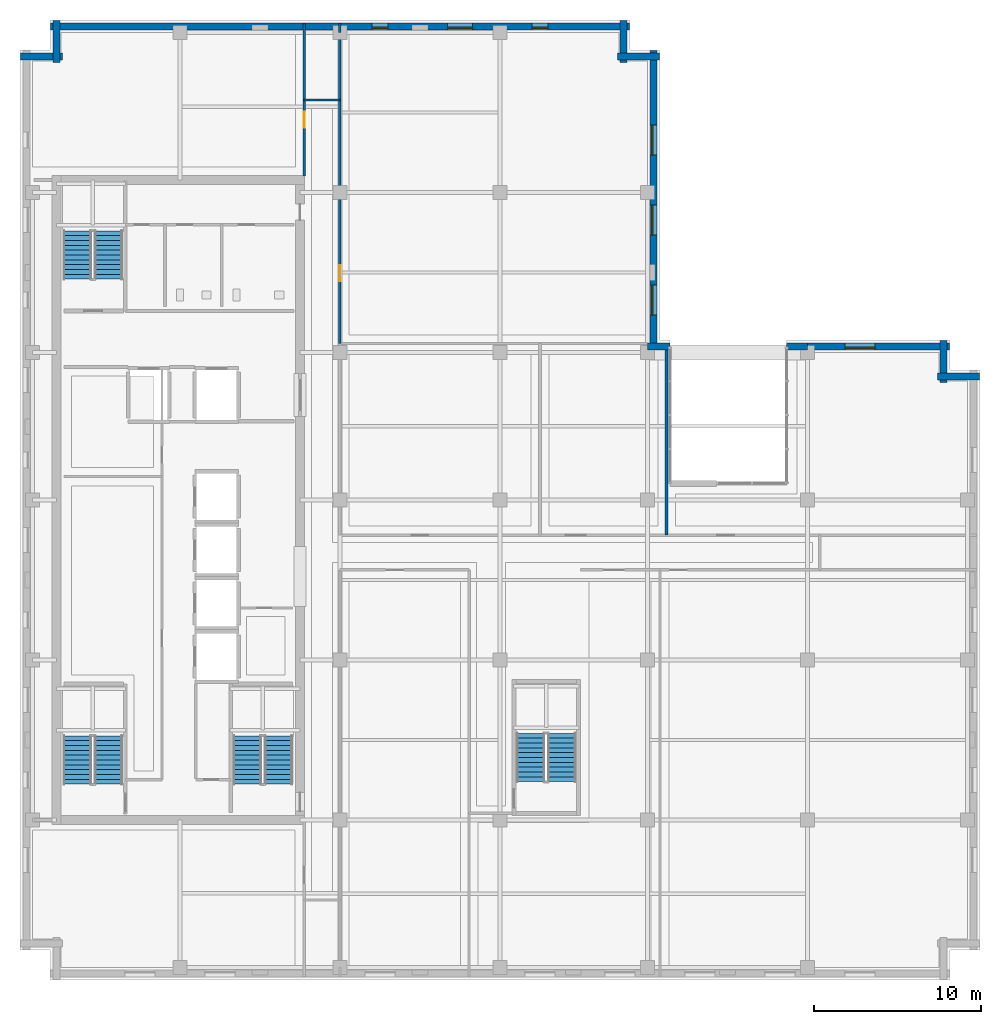
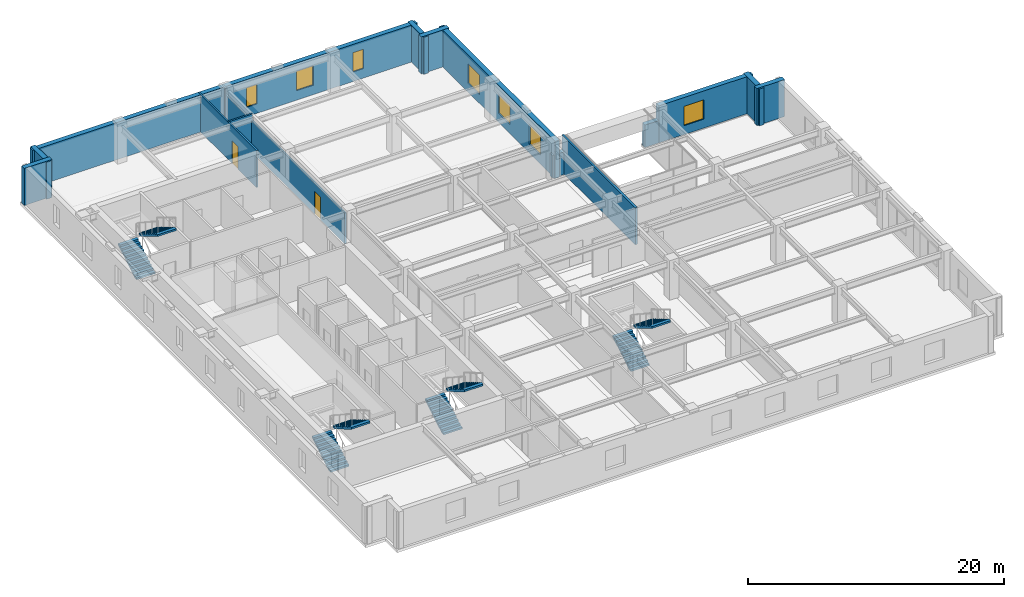
# One storey, part 6 of 12: 16 walls, 8 stair flights, 7 windows, 2 doors, 9 openings, 4 elements without a shape of their own.
"""IFC4 building model written with IfcOpenShell, lengths in metres."""

from ifc_helpers import new_model, si_unit, direction, frame, frame_2d, origin, place, context, subcontext, project, spatial, polyline, rectangle, outline, extrude, material, layer, layer_set, type_object, element, fill, aggregate, save


model = new_model("IFC4")

# Units and contexts
model_context = context("Model", 3, precision=1e-05, world=origin(), true_north=direction((0.0, 1.0)))
body_context = subcontext(model_context, "Body", "Model", "MODEL_VIEW")
ifc_project = project(units=[si_unit("LENGTHUNIT", "METRE"), si_unit("AREAUNIT", "SQUARE_METRE"), si_unit("VOLUMEUNIT", "CUBIC_METRE"), si_unit("PLANEANGLEUNIT", "RADIAN"), si_unit("MASSUNIT", "GRAM", prefix="KILO")], contexts=[model_context])

# Site, building, storey
site_placement = place(None, origin())
site = spatial("IfcSite", under=ifc_project, at=site_placement, CompositionType="ELEMENT")
building_placement = place(site_placement, origin())
building = spatial("IfcBuilding", under=site, at=building_placement, Name="Norrvale University Quadrangle", CompositionType="ELEMENT")
storey_placement = place(building_placement, frame((0.0, 0.0, 225.60009765625)))
storey = spatial("IfcBuildingStorey", under=building, at=storey_placement, Name="L57", CompositionType="ELEMENT", Elevation=225.60009765625)

# Walls
ifc_material_1 = material(Name="Buff Norman Clay Brick Masonry", Category="masonry")
ifc_layer_1 = layer(ifc_material_1, 0.419921875, Name="Buff Norman Clay Brick Masonry")
ifc_layer_set_1 = layer_set([ifc_layer_1], Name="Buff Norman Clay Brick Masonry")
wall_type_1 = type_object("IfcWallType", Name="Wall Buff Brick 420", PredefinedType="SOLIDWALL", material=ifc_layer_set_1)
for number, where, z_axis, x_axis, name in (
    (1, (57.56005859375, 36.2099609375, 0.0), (0.0, 0.0, 1.0), (-1.0, 0.0, 0.0), "Exterior Brick Facade Wall L57-05.1"),
    (2, (55.409912109375, 35.860107421875, 0.0), (0.0, 0.0, 1.0), (0.0, 1.0, 0.0), "Exterior Brick Facade Wall L57-06.1"),
):
    element("IfcWall", number, at=place(storey_placement, frame(where, z_axis=z_axis, x_axis=x_axis)), inside=storey, type_object=wall_type_1, Name=name, PredefinedType="SOLIDWALL", context=body_context, shape_type="SweptSolid", body=[
        extrude(rectangle(XDim=2.5, YDim=0.419921875, at=frame_2d((1.25, 0.0))), origin(), (0.0, 0.0, 1.0), 3.539794921875),
    ])

# Wall, opening, window
wall_1_placement = place(storey_placement, frame((55.760009765625, 38.010009765625, 0.0), z_axis=(0.0, 0.0, 1.0), x_axis=(-1.0, 0.0, 0.0)))
wall_1 = element("IfcWall", 3, at=wall_1_placement, inside=storey, type_object=wall_type_1, Name="Exterior Brick Facade Wall L57-07.1", PredefinedType="SOLIDWALL", context=body_context, shape_type="SweptSolid", body=[
    extrude(rectangle(XDim=8.510009765625, YDim=0.419921875, at=frame_2d((4.2548828125, 0.0))), origin(), (0.0, 0.0, 1.0), 3.539794921875),
])
opening_1_placement = place(wall_1_placement, frame((4.4599609375, 0.0, 0.85009765625)))
opening_1 = element("IfcOpeningElement", 4, at=opening_1_placement, cuts=wall_1, Name="Opening W01", PredefinedType="OPENING", context=body_context, shape_type="SweptSolid", body=[
    extrude(rectangle(XDim=1.800048828125, YDim=1.85009765625, at=frame_2d((0.89990234375, 0.925048828125))), frame((0.0, 0.221923828125, 0.0), z_axis=(0.0, -1.0, 0.0), x_axis=(1.0, 0.0, 0.0)), (0.0, 0.0, 1.0), 0.44384765625),
])
ifc_material_2 = material(Name="Triple Low-E Argon Glazing", Category="glass")
window_type_1 = type_object("IfcWindowType", Name="Window Academic 1800x2300", PartitioningType="DOUBLE_PANEL_VERTICAL", PredefinedType="WINDOW", material=ifc_material_2)
window_1_placement = place(opening_1_placement, origin())
window_1 = element("IfcWindow", 5, at=window_1_placement, inside=storey, type_object=window_type_1, Name="Window Academic 1800x2300 WIN-L57-E07-1-01", OverallHeight=1.85009765625, OverallWidth=1.800048828125, PartitioningType="DOUBLE_PANEL_VERTICAL", PredefinedType="WINDOW", context=body_context, shape_type="SweptSolid", body=[
    extrude(rectangle(XDim=1.800048828125, YDim=1.85009765625, at=frame_2d((0.89990234375, 0.925048828125))), frame((0.0, 0.110107421875, 0.0), z_axis=(0.0, -1.0, 0.0), x_axis=(1.0, 0.0, 0.0)), (0.0, 0.0, 1.0), 0.06005859375),
])
fill(opening_1, window_1)

# Wall
wall_2_placement = place(storey_placement, frame((39.0, 38.010009765625, 0.0), z_axis=(0.0, 0.0, 1.0), x_axis=(-1.0, 0.0, 0.0)))
element("IfcWall", 6, at=wall_2_placement, inside=storey, type_object=wall_type_1, Name="Exterior Brick Facade Wall L57-07.2", PredefinedType="SOLIDWALL", context=body_context, shape_type="SweptSolid", body=[
    extrude(rectangle(XDim=1.340087890625, YDim=0.419921875, at=frame_2d((0.669921875, 0.0))), origin(), (0.0, 0.0, 1.0), 2.139892578125),
])

# Wall, openings, windows
wall_3_placement = place(storey_placement, frame((38.010009765625, 37.659912109375, 0.0), z_axis=(0.0, 0.0, 1.0), x_axis=(0.0, 1.0, 0.0)))
wall_3 = element("IfcWall", 7, at=wall_3_placement, inside=storey, type_object=wall_type_1, Name="Exterior Brick Facade Wall L57-08.1", PredefinedType="SOLIDWALL", context=body_context, shape_type="SweptSolid", body=[
    extrude(rectangle(XDim=18.10009765625, YDim=0.419921875, at=frame_2d((9.050048828125, 0.0))), origin(), (0.0, 0.0, 1.0), 3.539794921875),
])
opening_2_placement = place(wall_3_placement, frame((2.239990234375, 0.0, 0.85009765625)))
opening_2 = element("IfcOpeningElement", 8, at=opening_2_placement, cuts=wall_3, Name="Opening W01", PredefinedType="OPENING", context=body_context, shape_type="SweptSolid", body=[
    extrude(rectangle(XDim=1.800048828125, YDim=1.85009765625, at=frame_2d((0.89990234375, 0.925048828125))), frame((0.0, 0.221923828125, 0.0), z_axis=(0.0, -1.0, 0.0), x_axis=(1.0, 0.0, 0.0)), (0.0, 0.0, 1.0), 0.44384765625),
])
opening_3_placement = place(wall_3_placement, frame((7.0400390625, 0.0, 0.85009765625)))
opening_3 = element("IfcOpeningElement", 9, at=opening_3_placement, cuts=wall_3, Name="Opening W01", PredefinedType="OPENING", context=body_context, shape_type="SweptSolid", body=[
    extrude(rectangle(XDim=1.800048828125, YDim=1.85009765625, at=frame_2d((0.89990234375, 0.925048828125))), frame((0.0, 0.221923828125, 0.0), z_axis=(0.0, -1.0, 0.0), x_axis=(1.0, 0.0, 0.0)), (0.0, 0.0, 1.0), 0.44384765625),
])
opening_4_placement = place(wall_3_placement, frame((11.840087890625, 0.0, 0.85009765625)))
opening_4 = element("IfcOpeningElement", 10, at=opening_4_placement, cuts=wall_3, Name="Opening W01", PredefinedType="OPENING", context=body_context, shape_type="SweptSolid", body=[
    extrude(rectangle(XDim=1.800048828125, YDim=1.85009765625, at=frame_2d((0.89990234375, 0.925048828125))), frame((0.0, 0.221923828125, 0.0), z_axis=(0.0, -1.0, 0.0), x_axis=(1.0, 0.0, 0.0)), (0.0, 0.0, 1.0), 0.44384765625),
])
window_2_placement = place(opening_2_placement, origin())
window_2 = element("IfcWindow", 11, at=window_2_placement, inside=storey, type_object=window_type_1, Name="Window Academic 1800x2300 WIN-L57-E08-1-01", OverallHeight=1.85009765625, OverallWidth=1.800048828125, PartitioningType="DOUBLE_PANEL_VERTICAL", PredefinedType="WINDOW", context=body_context, shape_type="SweptSolid", body=[
    extrude(rectangle(XDim=1.800048828125, YDim=1.85009765625, at=frame_2d((0.89990234375, 0.925048828125))), frame((0.0, 0.110107421875, 0.0), z_axis=(0.0, -1.0, 0.0), x_axis=(1.0, 0.0, 0.0)), (0.0, 0.0, 1.0), 0.06005859375),
])
fill(opening_2, window_2)
window_3_placement = place(opening_3_placement, origin())
window_3 = element("IfcWindow", 12, at=window_3_placement, inside=storey, type_object=window_type_1, Name="Window Academic 1800x2300 WIN-L57-E08-1-02", OverallHeight=1.85009765625, OverallWidth=1.800048828125, PartitioningType="DOUBLE_PANEL_VERTICAL", PredefinedType="WINDOW", context=body_context, shape_type="SweptSolid", body=[
    extrude(rectangle(XDim=1.800048828125, YDim=1.85009765625, at=frame_2d((0.89990234375, 0.925048828125))), frame((0.0, 0.110107421875, 0.0), z_axis=(0.0, -1.0, 0.0), x_axis=(1.0, 0.0, 0.0)), (0.0, 0.0, 1.0), 0.06005859375),
])
fill(opening_3, window_3)
window_4_placement = place(opening_4_placement, origin())
window_4 = element("IfcWindow", 13, at=window_4_placement, inside=storey, type_object=window_type_1, Name="Window Academic 1800x2300 WIN-L57-E08-1-03", OverallHeight=1.85009765625, OverallWidth=1.800048828125, PartitioningType="DOUBLE_PANEL_VERTICAL", PredefinedType="WINDOW", context=body_context, shape_type="SweptSolid", body=[
    extrude(rectangle(XDim=1.800048828125, YDim=1.85009765625, at=frame_2d((0.89990234375, 0.925048828125))), frame((0.0, 0.110107421875, 0.0), z_axis=(0.0, -1.0, 0.0), x_axis=(1.0, 0.0, 0.0)), (0.0, 0.0, 1.0), 0.06005859375),
])
fill(opening_4, window_4)

# Walls
for number, where, z_axis, x_axis, name in (
    (14, (38.360107421875, 55.409912109375, 0.0), (0.0, 0.0, 1.0), (-1.0, 0.0, 0.0), "Exterior Brick Facade Wall L57-09.1"),
    (15, (36.2099609375, 55.06005859375, 0.0), (0.0, 0.0, 1.0), (0.0, 1.0, 0.0), "Exterior Brick Facade Wall L57-10.1"),
):
    element("IfcWall", number, at=place(storey_placement, frame(where, z_axis=z_axis, x_axis=x_axis)), inside=storey, type_object=wall_type_1, Name=name, PredefinedType="SOLIDWALL", context=body_context, shape_type="SweptSolid", body=[
        extrude(rectangle(XDim=2.5, YDim=0.419921875, at=frame_2d((1.25, 0.0))), origin(), (0.0, 0.0, 1.0), 3.539794921875),
    ])

# Wall, openings, windows
wall_4_placement = place(storey_placement, frame((36.56005859375, 57.2099609375, 0.0), z_axis=(0.0, 0.0, 1.0), x_axis=(-1.0, 0.0, 0.0)))
wall_4 = element("IfcWall", 16, at=wall_4_placement, inside=storey, type_object=wall_type_1, Name="Exterior Brick Facade Wall L57-11.1", PredefinedType="SOLIDWALL", context=body_context, shape_type="SweptSolid", body=[
    extrude(rectangle(XDim=34.719970703125, YDim=0.419921875, at=frame_2d((17.35986328125, 0.0))), origin(), (0.0, 0.0, 1.0), 3.539794921875),
])
opening_5_placement = place(wall_4_placement, frame((4.885009765625, 0.0, 0.89990234375)))
opening_5 = element("IfcOpeningElement", 17, at=opening_5_placement, cuts=wall_4, Name="Opening W04", PredefinedType="OPENING", context=body_context, shape_type="SweptSolid", body=[
    extrude(rectangle(XDim=0.949951171875, YDim=1.85009765625, at=frame_2d((0.47509765625, 0.925048828125))), frame((0.0, 0.221923828125, 0.0), z_axis=(0.0, -1.0, 0.0), x_axis=(1.0, 0.0, 0.0)), (0.0, 0.0, 1.0), 0.44384765625),
])
opening_6_placement = place(wall_4_placement, frame((9.409912109375, 0.0, 0.89990234375)))
opening_6 = element("IfcOpeningElement", 18, at=opening_6_placement, cuts=wall_4, Name="Opening W03", PredefinedType="OPENING", context=body_context, shape_type="SweptSolid", body=[
    extrude(rectangle(XDim=1.5, YDim=1.85009765625, at=frame_2d((0.75, 0.925048828125))), frame((0.0, 0.221923828125, 0.0), z_axis=(0.0, -1.0, 0.0), x_axis=(1.0, 0.0, 0.0)), (0.0, 0.0, 1.0), 0.44384765625),
])
opening_7_placement = place(wall_4_placement, frame((14.485107421875, 0.0, 0.89990234375)))
opening_7 = element("IfcOpeningElement", 19, at=opening_7_placement, cuts=wall_4, Name="Opening W04", PredefinedType="OPENING", context=body_context, shape_type="SweptSolid", body=[
    extrude(rectangle(XDim=0.949951171875, YDim=1.85009765625, at=frame_2d((0.47509765625, 0.925048828125))), frame((0.0, 0.221923828125, 0.0), z_axis=(0.0, -1.0, 0.0), x_axis=(1.0, 0.0, 0.0)), (0.0, 0.0, 1.0), 0.44384765625),
])
window_type_2 = type_object("IfcWindowType", Name="Window Narrow Pier 950x2300", PartitioningType="SINGLE_PANEL", PredefinedType="WINDOW", material=ifc_material_2)
window_5_placement = place(opening_5_placement, origin())
window_5 = element("IfcWindow", 20, at=window_5_placement, inside=storey, type_object=window_type_2, Name="Window Narrow Pier 950x2300 WIN-L57-E11-1-01", OverallHeight=1.85009765625, OverallWidth=0.949951171875, PartitioningType="SINGLE_PANEL", PredefinedType="WINDOW", context=body_context, shape_type="SweptSolid", body=[
    extrude(rectangle(XDim=0.949951171875, YDim=1.85009765625, at=frame_2d((0.47509765625, 0.925048828125))), frame((0.0, 0.110107421875, 0.0), z_axis=(0.0, -1.0, 0.0), x_axis=(1.0, 0.0, 0.0)), (0.0, 0.0, 1.0), 0.06005859375),
])
fill(opening_5, window_5)
window_6_placement = place(opening_7_placement, origin())
window_6 = element("IfcWindow", 21, at=window_6_placement, inside=storey, type_object=window_type_2, Name="Window Narrow Pier 950x2300 WIN-L57-E11-1-03", OverallHeight=1.85009765625, OverallWidth=0.949951171875, PartitioningType="SINGLE_PANEL", PredefinedType="WINDOW", context=body_context, shape_type="SweptSolid", body=[
    extrude(rectangle(XDim=0.949951171875, YDim=1.85009765625, at=frame_2d((0.47509765625, 0.925048828125))), frame((0.0, 0.110107421875, 0.0), z_axis=(0.0, -1.0, 0.0), x_axis=(1.0, 0.0, 0.0)), (0.0, 0.0, 1.0), 0.06005859375),
])
fill(opening_7, window_6)
window_type_3 = type_object("IfcWindowType", Name="Window Studio 1500x2300", PartitioningType="DOUBLE_PANEL_VERTICAL", PredefinedType="WINDOW", material=ifc_material_2)
window_7_placement = place(opening_6_placement, origin())
window_7 = element("IfcWindow", 22, at=window_7_placement, inside=storey, type_object=window_type_3, Name="Window Studio 1500x2300 WIN-L57-E11-1-02", OverallHeight=1.85009765625, OverallWidth=1.5, PartitioningType="DOUBLE_PANEL_VERTICAL", PredefinedType="WINDOW", context=body_context, shape_type="SweptSolid", body=[
    extrude(rectangle(XDim=1.5, YDim=1.85009765625, at=frame_2d((0.75, 0.925048828125))), frame((0.0, 0.110107421875, 0.0), z_axis=(0.0, -1.0, 0.0), x_axis=(1.0, 0.0, 0.0)), (0.0, 0.0, 1.0), 0.06005859375),
])
fill(opening_6, window_7)

# Walls
for number, where, z_axis, x_axis, name in (
    (23, (2.18994140625, 57.56005859375, 0.0), (0.0, 0.0, 1.0), (0.0, -1.0, 0.0), "Exterior Brick Facade Wall L57-12.1"),
    (24, (2.5400390625, 55.409912109375, 0.0), (0.0, 0.0, 1.0), (-1.0, 0.0, 0.0), "Exterior Brick Facade Wall L57-13.1"),
):
    element("IfcWall", number, at=place(storey_placement, frame(where, z_axis=z_axis, x_axis=x_axis)), inside=storey, type_object=wall_type_1, Name=name, PredefinedType="SOLIDWALL", context=body_context, shape_type="SweptSolid", body=[
        extrude(rectangle(XDim=2.5, YDim=0.419921875, at=frame_2d((1.25, 0.0))), origin(), (0.0, 0.0, 1.0), 3.539794921875),
    ])
wall_5_placement = place(storey_placement, frame((47.25, 38.010009765625, 0.0), z_axis=(0.0, 0.0, 1.0), x_axis=(-1.0, 0.0, 0.0)))
element("IfcWall", 25, at=wall_5_placement, inside=storey, type_object=wall_type_1, Name="Exterior Brick Facade Wall L57-07.1 B2", PredefinedType="SOLIDWALL", context=body_context, shape_type="SweptSolid", body=[
    extrude(rectangle(XDim=1.25, YDim=0.419921875, at=frame_2d((0.625, 0.0))), origin(), (0.0, 0.0, 1.0), 2.139892578125),
])
ifc_material_3 = material(Name="Fire-Rated Gypsum Stud Partition")
ifc_layer_2 = layer(ifc_material_3, 0.14990234375, Name="Fire-Rated Gypsum Stud Partition")
ifc_layer_set_2 = layer_set([ifc_layer_2], Name="Fire-Rated Gypsum Stud Partition")
wall_type_2 = type_object("IfcWallType", Name="Wall Gypsum Corridor 150", PredefinedType="PARTITIONING", material=ifc_layer_set_2)
wall_6_placement = place(storey_placement, frame((17.050048828125, 52.800048828125, 0.0), z_axis=(0.0, 0.0, 1.0), x_axis=(1.0, 0.0, 0.0)))
element("IfcWall", 26, at=wall_6_placement, inside=storey, type_object=wall_type_2, Name="Interior Partition WL-L57-CSP-N", PredefinedType="PARTITIONING", context=body_context, shape_type="SweptSolid", body=[
    extrude(rectangle(XDim=2.14990234375, YDim=0.14990234375, at=frame_2d((1.074951171875, 0.0))), origin(), (0.0, 0.0, 1.0), 3.539794921875),
])

# Wall, opening, door
wall_7_placement = place(storey_placement, frame((19.199951171875, 38.179931640625, 0.0), z_axis=(0.0, 0.0, 1.0), x_axis=(0.0, 1.0, 0.0)))
wall_7 = element("IfcWall", 27, at=wall_7_placement, inside=storey, type_object=wall_type_2, Name="Interior Partition WL-L57-NECW", PredefinedType="PARTITIONING", context=body_context, shape_type="SweptSolid", body=[
    extrude(rectangle(XDim=18.670166015625, YDim=0.14990234375, at=frame_2d((9.3349609375, 0.0))), origin(), (0.0, 0.0, 1.0), 2.9228515625),
])
opening_8_placement = place(wall_7_placement, frame((3.75, 0.0, 0.0)))
opening_8 = element("IfcOpeningElement", 28, at=opening_8_placement, cuts=wall_7, Name="Opening D07", PredefinedType="OPENING", context=body_context, shape_type="SweptSolid", body=[
    extrude(rectangle(XDim=0.949951171875, YDim=2.14990234375, at=frame_2d((0.47509765625, 1.074951171875))), frame((0.0, 0.0869140625, 0.0), z_axis=(0.0, -1.0, 0.0), x_axis=(1.0, 0.0, 0.0)), (0.0, 0.0, 1.0), 0.173828125),
])
ifc_material_4 = material(Name="Solid-Core Maple Door", Category="wood")
door_type = type_object("IfcDoorType", Name="Door Office 950x2150", OperationType="NOTDEFINED", PredefinedType="DOOR", material=ifc_material_4)
door_1_placement = place(opening_8_placement, origin())
door_1 = element("IfcDoor", 29, at=door_1_placement, inside=storey, type_object=door_type, Name="Door Office 950x2150 DR-L57-NE01", OperationType="SINGLE_SWING_RIGHT", OverallHeight=2.14990234375, OverallWidth=0.949951171875, PredefinedType="DOOR", context=body_context, shape_type="SweptSolid", body=[
    extrude(rectangle(XDim=0.949951171875, YDim=2.14990234375, at=frame_2d((0.47509765625, 1.074951171875))), frame((0.0, 0.02490234375, 0.0), z_axis=(0.0, -1.0, 0.0), x_axis=(1.0, 0.0, 0.0)), (0.0, 0.0, 1.0), 0.050048828125),
])
fill(opening_8, door_1)

# Wall
wall_8_placement = place(storey_placement, frame((19.199951171875, 56.85009765625, 0.0), z_axis=(0.0, 0.0, 1.0), x_axis=(0.0, 1.0, 0.0)))
element("IfcWall", 30, at=wall_8_placement, inside=storey, type_object=wall_type_2, Name="Interior Partition WL-L57-NECW-B2", PredefinedType="PARTITIONING", context=body_context, shape_type="SweptSolid", body=[
    extrude(rectangle(XDim=0.52978515625, YDim=0.14990234375, at=frame_2d((0.264892578125, 0.0))), origin(), (0.0, 0.0, 1.0), 3.539794921875),
])

# Wall, opening, door
wall_9_placement = place(storey_placement, frame((17.050048828125, 48.25, 0.0), z_axis=(0.0, 0.0, 1.0), x_axis=(0.0, 1.0, 0.0)))
wall_9 = element("IfcWall", 31, at=wall_9_placement, inside=storey, type_object=wall_type_2, Name="Interior Partition WL-L57-NWCW", PredefinedType="PARTITIONING", context=body_context, shape_type="SweptSolid", body=[
    extrude(rectangle(XDim=9.1298828125, YDim=0.14990234375, at=frame_2d((4.56494140625, 0.0))), origin(), (0.0, 0.0, 1.0), 3.539794921875),
])
opening_9_placement = place(wall_9_placement, frame((2.89990234375, 0.0, 0.0)))
opening_9 = element("IfcOpeningElement", 32, at=opening_9_placement, cuts=wall_9, Name="Opening D07", PredefinedType="OPENING", context=body_context, shape_type="SweptSolid", body=[
    extrude(rectangle(XDim=0.949951171875, YDim=2.14990234375, at=frame_2d((0.47509765625, 1.074951171875))), frame((0.0, 0.0869140625, 0.0), z_axis=(0.0, -1.0, 0.0), x_axis=(1.0, 0.0, 0.0)), (0.0, 0.0, 1.0), 0.173828125),
])
door_2_placement = place(opening_9_placement, origin())
door_2 = element("IfcDoor", 33, at=door_2_placement, inside=storey, type_object=door_type, Name="Door Office 950x2150 DR-L57-NW01", OperationType="SINGLE_SWING_RIGHT", OverallHeight=2.14990234375, OverallWidth=0.949951171875, PredefinedType="DOOR", context=body_context, shape_type="SweptSolid", body=[
    extrude(rectangle(XDim=0.949951171875, YDim=2.14990234375, at=frame_2d((0.47509765625, 1.074951171875))), frame((0.0, 0.02490234375, 0.0), z_axis=(0.0, -1.0, 0.0), x_axis=(1.0, 0.0, 0.0)), (0.0, 0.0, 1.0), 0.050048828125),
])
fill(opening_9, door_2)

# Wall
ifc_material_5 = material(Name="Acoustic Double-Stud Gypsum Partition")
ifc_layer_3 = layer(ifc_material_5, 0.179931640625, Name="Acoustic Double-Stud Gypsum Partition")
ifc_layer_set_3 = layer_set([ifc_layer_3], Name="Acoustic Double-Stud Gypsum Partition")
wall_type_3 = type_object("IfcWallType", Name="Wall Gypsum Lecture 180", PredefinedType="PARTITIONING", material=ifc_layer_set_3)
wall_10_placement = place(storey_placement, frame((38.800048828125, 26.699951171875, 0.0), z_axis=(0.0, 0.0, 1.0), x_axis=(0.0, 1.0, 0.0)))
element("IfcWall", 34, at=wall_10_placement, inside=storey, type_object=wall_type_3, Name="Interior Partition WL-L57-MEP02", PredefinedType="PARTITIONING", context=body_context, shape_type="SweptSolid", body=[
    extrude(rectangle(XDim=11.47998046875, YDim=0.179931640625, at=frame_2d((5.739990234375, 0.0))), origin(), (0.0, 0.0, 1.0), 3.539794921875),
])

# Stair, stair flights
ifc_material_6 = material(Name="Concrete C40/50", Category="concrete")
stair_type = type_object("IfcStairType", Name="Stair Tower Typ 3800", PredefinedType="TWO_STRAIGHT_RUN_STAIR", material=ifc_material_6)
stair_1_placement = place(storey_placement, origin())
stair_1 = element("IfcStair", 35, at=stair_1_placement, inside=storey, type_object=stair_type, Name="Exit Stair ST-01 L57", PredefinedType="TWO_STRAIGHT_RUN_STAIR")
stair_flight_type = type_object("IfcStairFlightType", Name="Flight Typ 1500", PredefinedType="STRAIGHT", material=ifc_material_6)
stair_flight_1_placement = place(storey_placement, frame((3.429931640625, 11.75, 0.0), z_axis=(0.0, 0.0, 1.0), x_axis=(0.0, 1.0, 0.0)))
stair_flight_1 = element("IfcStairFlight", 36, at=stair_flight_1_placement, type_object=stair_flight_type, Name="Exit Stair ST-01 L57 Lower Flight", NumberOfRisers=11, NumberOfTreads=10, PredefinedType="STRAIGHT", RiserHeight=0.172727, TreadLength=0.29, context=body_context, shape_type="SweptSolid", body=[
    extrude(outline(polyline([(0.0, 0.0), (0.0, 0.172607421875), (0.2900390625, 0.172607421875), (0.2900390625, 0.345458984375), (0.580078125, 0.345458984375), (0.580078125, 0.51806640625), (0.8701171875, 0.51806640625), (0.8701171875, 0.69091796875), (1.159912109375, 0.69091796875), (1.159912109375, 0.863525390625), (1.449951171875, 0.863525390625), (1.449951171875, 1.036376953125), (1.739990234375, 1.036376953125), (1.739990234375, 1.208984375), (2.030029296875, 1.208984375), (2.030029296875, 1.3818359375), (2.320068359375, 1.3818359375), (2.320068359375, 1.554443359375), (2.610107421875, 1.554443359375), (2.610107421875, 1.727294921875), (2.89990234375, 1.727294921875), (2.89990234375, 1.89990234375), (2.89990234375, 1.552734375), (0.29296875, 0.0), (0.0, 0.0)])), frame((0.0, 0.83984375, 0.0), z_axis=(0.0, -1.0, 0.0), x_axis=(1.0, 0.0, 0.0)), (0.0, 0.0, 1.0), 1.679931640625),
])
stair_flight_2_placement = place(storey_placement, frame((5.320068359375, 14.64990234375, 1.89990234375), z_axis=(0.0, 0.0, 1.0), x_axis=(0.0, -1.0, 0.0)))
stair_flight_2 = element("IfcStairFlight", 37, at=stair_flight_2_placement, type_object=stair_flight_type, Name="Exit Stair ST-01 L57 Upper Flight", NumberOfRisers=11, NumberOfTreads=10, PredefinedType="STRAIGHT", RiserHeight=0.172727, TreadLength=0.29, context=body_context, shape_type="SweptSolid", body=[
    extrude(outline(polyline([(0.0, 0.0), (0.0, 0.172607421875), (0.2900390625, 0.172607421875), (0.2900390625, 0.345458984375), (0.580078125, 0.345458984375), (0.580078125, 0.51806640625), (0.8701171875, 0.51806640625), (0.8701171875, 0.69091796875), (1.159912109375, 0.69091796875), (1.159912109375, 0.863525390625), (1.449951171875, 0.863525390625), (1.449951171875, 1.036376953125), (1.739990234375, 1.036376953125), (1.739990234375, 1.208984375), (2.030029296875, 1.208984375), (2.030029296875, 1.3818359375), (2.320068359375, 1.3818359375), (2.320068359375, 1.554443359375), (2.610107421875, 1.554443359375), (2.610107421875, 1.727294921875), (2.89990234375, 1.727294921875), (2.89990234375, 1.89990234375), (2.89990234375, 1.552734375), (0.29296875, 0.0), (0.0, 0.0)])), frame((0.0, 0.83984375, 0.0), z_axis=(0.0, -1.0, 0.0), x_axis=(1.0, 0.0, 0.0)), (0.0, 0.0, 1.0), 1.679931640625),
])
aggregate(stair_1, [stair_flight_1, stair_flight_2])

stair_2_placement = place(storey_placement, origin())
stair_2 = element("IfcStair", 38, at=stair_2_placement, inside=storey, type_object=stair_type, Name="Exit Stair ST-02 L57", PredefinedType="TWO_STRAIGHT_RUN_STAIR")
stair_flight_3_placement = place(storey_placement, frame((3.429931640625, 42.050048828125, 0.0), z_axis=(0.0, 0.0, 1.0), x_axis=(0.0, 1.0, 0.0)))
stair_flight_3 = element("IfcStairFlight", 39, at=stair_flight_3_placement, type_object=stair_flight_type, Name="Exit Stair ST-02 L57 Lower Flight", NumberOfRisers=11, NumberOfTreads=10, PredefinedType="STRAIGHT", RiserHeight=0.172727, TreadLength=0.29, context=body_context, shape_type="SweptSolid", body=[
    extrude(outline(polyline([(0.0, 0.0), (0.0, 0.172607421875), (0.2900390625, 0.172607421875), (0.2900390625, 0.345458984375), (0.580078125, 0.345458984375), (0.580078125, 0.51806640625), (0.8701171875, 0.51806640625), (0.8701171875, 0.69091796875), (1.159912109375, 0.69091796875), (1.159912109375, 0.863525390625), (1.449951171875, 0.863525390625), (1.449951171875, 1.036376953125), (1.739990234375, 1.036376953125), (1.739990234375, 1.208984375), (2.030029296875, 1.208984375), (2.030029296875, 1.3818359375), (2.320068359375, 1.3818359375), (2.320068359375, 1.554443359375), (2.610107421875, 1.554443359375), (2.610107421875, 1.727294921875), (2.89990234375, 1.727294921875), (2.89990234375, 1.89990234375), (2.89990234375, 1.552734375), (0.29296875, 0.0), (0.0, 0.0)])), frame((0.0, 0.83984375, 0.0), z_axis=(0.0, -1.0, 0.0), x_axis=(1.0, 0.0, 0.0)), (0.0, 0.0, 1.0), 1.679931640625),
])
stair_flight_4_placement = place(storey_placement, frame((5.320068359375, 44.949951171875, 1.89990234375), z_axis=(0.0, 0.0, 1.0), x_axis=(0.0, -1.0, 0.0)))
stair_flight_4 = element("IfcStairFlight", 40, at=stair_flight_4_placement, type_object=stair_flight_type, Name="Exit Stair ST-02 L57 Upper Flight", NumberOfRisers=11, NumberOfTreads=10, PredefinedType="STRAIGHT", RiserHeight=0.172727, TreadLength=0.29, context=body_context, shape_type="SweptSolid", body=[
    extrude(outline(polyline([(0.0, 0.0), (0.0, 0.172607421875), (0.2900390625, 0.172607421875), (0.2900390625, 0.345458984375), (0.580078125, 0.345458984375), (0.580078125, 0.51806640625), (0.8701171875, 0.51806640625), (0.8701171875, 0.69091796875), (1.159912109375, 0.69091796875), (1.159912109375, 0.863525390625), (1.449951171875, 0.863525390625), (1.449951171875, 1.036376953125), (1.739990234375, 1.036376953125), (1.739990234375, 1.208984375), (2.030029296875, 1.208984375), (2.030029296875, 1.3818359375), (2.320068359375, 1.3818359375), (2.320068359375, 1.554443359375), (2.610107421875, 1.554443359375), (2.610107421875, 1.727294921875), (2.89990234375, 1.727294921875), (2.89990234375, 1.89990234375), (2.89990234375, 1.552734375), (0.29296875, 0.0), (0.0, 0.0)])), frame((0.0, 0.83984375, 0.0), z_axis=(0.0, -1.0, 0.0), x_axis=(1.0, 0.0, 0.0)), (0.0, 0.0, 1.0), 1.679931640625),
])
aggregate(stair_2, [stair_flight_3, stair_flight_4])

stair_3_placement = place(storey_placement, origin())
stair_3 = element("IfcStair", 41, at=stair_3_placement, inside=storey, type_object=stair_type, Name="Exit Stair ST-03 L57", PredefinedType="TWO_STRAIGHT_RUN_STAIR")
stair_flight_5_placement = place(storey_placement, frame((13.6298828125, 11.75, 0.0), z_axis=(0.0, 0.0, 1.0), x_axis=(0.0, 1.0, 0.0)))
stair_flight_5 = element("IfcStairFlight", 42, at=stair_flight_5_placement, type_object=stair_flight_type, Name="Exit Stair ST-03 L57 Lower Flight", NumberOfRisers=11, NumberOfTreads=10, PredefinedType="STRAIGHT", RiserHeight=0.172727, TreadLength=0.29, context=body_context, shape_type="SweptSolid", body=[
    extrude(outline(polyline([(0.0, 0.0), (0.0, 0.172607421875), (0.2900390625, 0.172607421875), (0.2900390625, 0.345458984375), (0.580078125, 0.345458984375), (0.580078125, 0.51806640625), (0.8701171875, 0.51806640625), (0.8701171875, 0.69091796875), (1.159912109375, 0.69091796875), (1.159912109375, 0.863525390625), (1.449951171875, 0.863525390625), (1.449951171875, 1.036376953125), (1.739990234375, 1.036376953125), (1.739990234375, 1.208984375), (2.030029296875, 1.208984375), (2.030029296875, 1.3818359375), (2.320068359375, 1.3818359375), (2.320068359375, 1.554443359375), (2.610107421875, 1.554443359375), (2.610107421875, 1.727294921875), (2.89990234375, 1.727294921875), (2.89990234375, 1.89990234375), (2.89990234375, 1.552734375), (0.29296875, 0.0), (0.0, 0.0)])), frame((0.0, 0.83984375, 0.0), z_axis=(0.0, -1.0, 0.0), x_axis=(1.0, 0.0, 0.0)), (0.0, 0.0, 1.0), 1.679931640625),
])
stair_flight_6_placement = place(storey_placement, frame((15.52001953125, 14.64990234375, 1.89990234375), z_axis=(0.0, 0.0, 1.0), x_axis=(0.0, -1.0, 0.0)))
stair_flight_6 = element("IfcStairFlight", 43, at=stair_flight_6_placement, type_object=stair_flight_type, Name="Exit Stair ST-03 L57 Upper Flight", NumberOfRisers=11, NumberOfTreads=10, PredefinedType="STRAIGHT", RiserHeight=0.172727, TreadLength=0.29, context=body_context, shape_type="SweptSolid", body=[
    extrude(outline(polyline([(0.0, 0.0), (0.0, 0.172607421875), (0.2900390625, 0.172607421875), (0.2900390625, 0.345458984375), (0.580078125, 0.345458984375), (0.580078125, 0.51806640625), (0.8701171875, 0.51806640625), (0.8701171875, 0.69091796875), (1.159912109375, 0.69091796875), (1.159912109375, 0.863525390625), (1.449951171875, 0.863525390625), (1.449951171875, 1.036376953125), (1.739990234375, 1.036376953125), (1.739990234375, 1.208984375), (2.030029296875, 1.208984375), (2.030029296875, 1.3818359375), (2.320068359375, 1.3818359375), (2.320068359375, 1.554443359375), (2.610107421875, 1.554443359375), (2.610107421875, 1.727294921875), (2.89990234375, 1.727294921875), (2.89990234375, 1.89990234375), (2.89990234375, 1.552734375), (0.29296875, 0.0), (0.0, 0.0)])), frame((0.0, 0.83984375, 0.0), z_axis=(0.0, -1.0, 0.0), x_axis=(1.0, 0.0, 0.0)), (0.0, 0.0, 1.0), 1.679931640625),
])
aggregate(stair_3, [stair_flight_5, stair_flight_6])

stair_4_placement = place(storey_placement, origin())
stair_4 = element("IfcStair", 44, at=stair_4_placement, inside=storey, type_object=stair_type, Name="Exit Stair ST-04 L57", PredefinedType="TWO_STRAIGHT_RUN_STAIR")
stair_flight_7_placement = place(storey_placement, frame((30.6298828125, 11.89990234375, 0.0), z_axis=(0.0, 0.0, 1.0), x_axis=(0.0, 1.0, 0.0)))
stair_flight_7 = element("IfcStairFlight", 45, at=stair_flight_7_placement, type_object=stair_flight_type, Name="Exit Stair ST-04 L57 Lower Flight", NumberOfRisers=11, NumberOfTreads=10, PredefinedType="STRAIGHT", RiserHeight=0.172727, TreadLength=0.29, context=body_context, shape_type="SweptSolid", body=[
    extrude(outline(polyline([(0.0, 0.0), (0.0, 0.172607421875), (0.2900390625, 0.172607421875), (0.2900390625, 0.345458984375), (0.580078125, 0.345458984375), (0.580078125, 0.51806640625), (0.8701171875, 0.51806640625), (0.8701171875, 0.69091796875), (1.159912109375, 0.69091796875), (1.159912109375, 0.863525390625), (1.449951171875, 0.863525390625), (1.449951171875, 1.036376953125), (1.739990234375, 1.036376953125), (1.739990234375, 1.208984375), (2.030029296875, 1.208984375), (2.030029296875, 1.3818359375), (2.320068359375, 1.3818359375), (2.320068359375, 1.554443359375), (2.610107421875, 1.554443359375), (2.610107421875, 1.727294921875), (2.89990234375, 1.727294921875), (2.89990234375, 1.89990234375), (2.89990234375, 1.552734375), (0.29296875, 0.0), (0.0, 0.0)])), frame((0.0, 0.83984375, 0.0), z_axis=(0.0, -1.0, 0.0), x_axis=(1.0, 0.0, 0.0)), (0.0, 0.0, 1.0), 1.679931640625),
])
stair_flight_8_placement = place(storey_placement, frame((32.52001953125, 14.800048828125, 1.89990234375), z_axis=(0.0, 0.0, 1.0), x_axis=(0.0, -1.0, 0.0)))
stair_flight_8 = element("IfcStairFlight", 46, at=stair_flight_8_placement, type_object=stair_flight_type, Name="Exit Stair ST-04 L57 Upper Flight", NumberOfRisers=11, NumberOfTreads=10, PredefinedType="STRAIGHT", RiserHeight=0.172727, TreadLength=0.29, context=body_context, shape_type="SweptSolid", body=[
    extrude(outline(polyline([(0.0, 0.0), (0.0, 0.172607421875), (0.2900390625, 0.172607421875), (0.2900390625, 0.345458984375), (0.580078125, 0.345458984375), (0.580078125, 0.51806640625), (0.8701171875, 0.51806640625), (0.8701171875, 0.69091796875), (1.159912109375, 0.69091796875), (1.159912109375, 0.863525390625), (1.449951171875, 0.863525390625), (1.449951171875, 1.036376953125), (1.739990234375, 1.036376953125), (1.739990234375, 1.208984375), (2.030029296875, 1.208984375), (2.030029296875, 1.3818359375), (2.320068359375, 1.3818359375), (2.320068359375, 1.554443359375), (2.610107421875, 1.554443359375), (2.610107421875, 1.727294921875), (2.89990234375, 1.727294921875), (2.89990234375, 1.89990234375), (2.89990234375, 1.552734375), (0.29296875, 0.0), (0.0, 0.0)])), frame((0.0, 0.83984375, 0.0), z_axis=(0.0, -1.0, 0.0), x_axis=(1.0, 0.0, 0.0)), (0.0, 0.0, 1.0), 1.679931640625),
])
aggregate(stair_4, [stair_flight_7, stair_flight_8])

save(model, "model.ifc")
